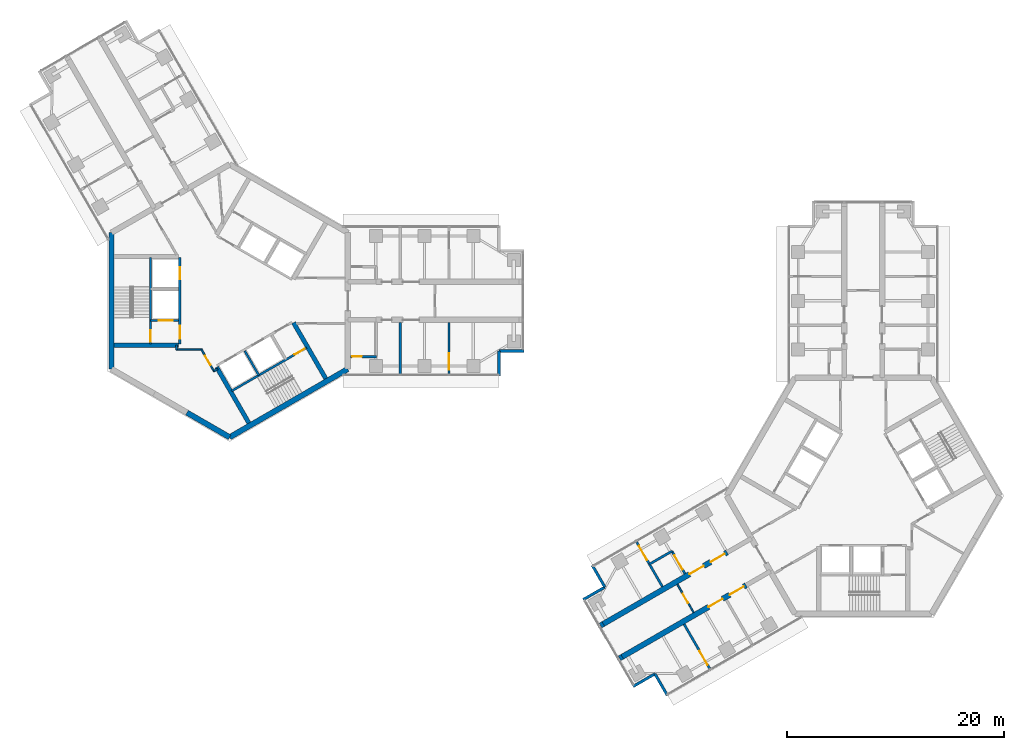
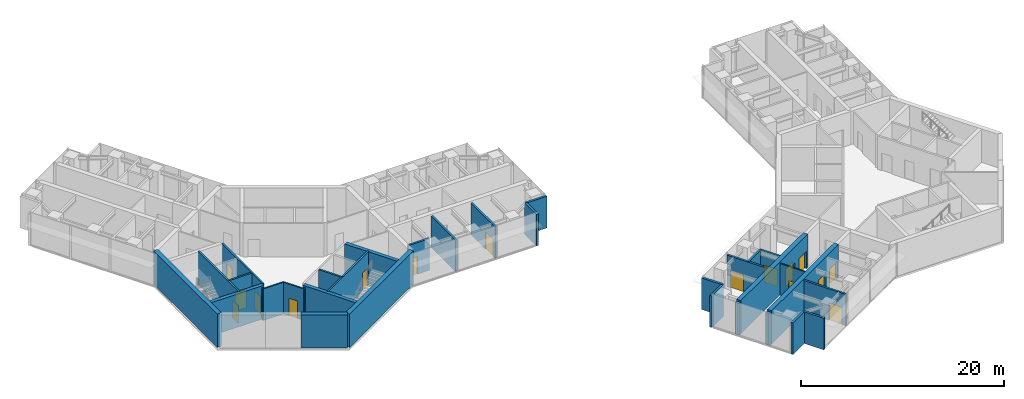
# One storey, part 11 of 17: 33 walls, 16 doors, 16 openings.
"""IFC4 building model written with IfcOpenShell, lengths in metres."""

from ifc_helpers import new_model, si_unit, direction, frame, frame_2d, origin, place, context, subcontext, project, spatial, rectangle, extrude, material, layer, layer_set, type_object, element, fill, save


model = new_model("IFC4")

# Units and contexts
model_context = context("Model", 3, precision=1e-05, world=origin(), true_north=direction((0.0, 1.0)))
body_context = subcontext(model_context, "Body", "Model", "MODEL_VIEW")
ifc_project = project(units=[si_unit("LENGTHUNIT", "METRE"), si_unit("AREAUNIT", "SQUARE_METRE"), si_unit("VOLUMEUNIT", "CUBIC_METRE"), si_unit("PLANEANGLEUNIT", "RADIAN"), si_unit("MASSUNIT", "GRAM", prefix="KILO")], contexts=[model_context])

# Site, building, storey
site_placement = place(None, origin())
site = spatial("IfcSite", under=ifc_project, at=site_placement, CompositionType="ELEMENT")
building_placement = place(site_placement, origin())
building = spatial("IfcBuilding", under=site, at=building_placement, Name="Upepo Twin Towers", CompositionType="ELEMENT")
storey_placement = place(building_placement, frame((0.0, 0.0, 186.5)))
storey = spatial("IfcBuildingStorey", under=building, at=storey_placement, Name="L45", CompositionType="ELEMENT", Elevation=186.5)

# Wall
ifc_material_1 = material(Name="Concrete blockwork, plastered both faces", Category="masonry")
ifc_layer_1 = layer(ifc_material_1, 0.215087890625)
ifc_layer_set_1 = layer_set([ifc_layer_1], Name="Blockwork partition 215")
wall_type_1 = type_object("IfcWallType", Name="Blockwork partition 215", PredefinedType="PARTITIONING", material=ifc_layer_set_1)
wall_1_placement = place(storey_placement, frame((15.75, -2.0, 0.0), z_axis=(0.0, 0.0, 1.0), x_axis=(0.0, -1.0, 0.0)))
element("IfcWall", 1, at=wall_1_placement, inside=storey, type_object=wall_type_1, Name="T1 partition AR at 15.75", PredefinedType="PARTITIONING", context=body_context, shape_type="SweptSolid", body=[
    extrude(rectangle(XDim=4.75, YDim=0.215087890625, at=frame_2d((2.375, 0.0))), origin(), (0.0, 0.0, 1.0), 3.800048828125),
])

# Wall, opening, door
wall_2_placement = place(storey_placement, frame((20.25, -2.0, 0.0), z_axis=(0.0, 0.0, 1.0), x_axis=(0.0, -1.0, 0.0)))
wall_2 = element("IfcWall", 2, at=wall_2_placement, inside=storey, type_object=wall_type_1, Name="T1 partition AR at 20.25", PredefinedType="PARTITIONING", context=body_context, shape_type="SweptSolid", body=[
    extrude(rectangle(XDim=4.75, YDim=0.215087890625, at=frame_2d((2.375, 0.0))), origin(), (0.0, 0.0, 1.0), 3.800048828125),
])
opening_1_placement = place(wall_2_placement, frame((2.85009765625, 0.0, 0.0)))
opening_1 = element("IfcOpeningElement", 3, at=opening_1_placement, cuts=wall_2, Name="Opening D13", PredefinedType="OPENING", context=body_context, shape_type="SweptSolid", body=[
    extrude(rectangle(XDim=1.5, YDim=2.10009765625, at=frame_2d((0.75, 1.050048828125))), frame((0.0, 0.117431640625, 0.0), z_axis=(0.0, -1.0, 0.0), x_axis=(1.0, 0.0, 0.0)), (0.0, 0.0, 1.0), 0.235107421875),
])
ifc_material_2 = material(Name="Timber doorset", Category="wood")
door_type_1 = type_object("IfcDoorType", Name="Double door 1500 FD30", OperationType="DOUBLE_DOOR_SINGLE_SWING", PredefinedType="DOOR", material=ifc_material_2)
door_1_placement = place(opening_1_placement, origin())
door_1 = element("IfcDoor", 4, at=door_1_placement, inside=storey, type_object=door_type_1, Name="T1 L45 connecting door", OperationType="DOUBLE_DOOR_SINGLE_SWING", OverallHeight=2.10009765625, OverallWidth=1.5, PredefinedType="DOOR", context=body_context, shape_type="SweptSolid", body=[
    extrude(rectangle(XDim=1.5, YDim=2.10009765625, at=frame_2d((0.75, 1.050048828125))), frame((0.0, 0.02490234375, 0.0), z_axis=(0.0, -1.0, 0.0), x_axis=(1.0, 0.0, 0.0)), (0.0, 0.0, 1.0), 0.050048828125),
])
fill(opening_1, door_1)

wall_3_placement = place(storey_placement, frame((11.157958984375, -5.14990234375, 0.0), z_axis=(0.0, 0.0, 1.0), x_axis=(1.0, 0.0, 0.0)))
wall_3 = element("IfcWall", 5, at=wall_3_placement, inside=storey, type_object=wall_type_1, Name="T1 WC bay partition AR at 11.16", PredefinedType="PARTITIONING", context=body_context, shape_type="SweptSolid", body=[
    extrude(rectangle(XDim=2.400146484375, YDim=0.215087890625, at=frame_2d((1.2001953125, 0.0))), origin(), (0.0, 0.0, 1.0), 3.800048828125),
])
opening_2_placement = place(wall_3_placement, frame((0.14990234375, 0.0, 0.0)))
opening_2 = element("IfcOpeningElement", 6, at=opening_2_placement, cuts=wall_3, Name="Opening D14", PredefinedType="OPENING", context=body_context, shape_type="SweptSolid", body=[
    extrude(rectangle(XDim=0.89990234375, YDim=2.10009765625, at=frame_2d((0.449951171875, 1.050048828125))), frame((0.0, 0.117431640625, 0.0), z_axis=(0.0, -1.0, 0.0), x_axis=(1.0, 0.0, 0.0)), (0.0, 0.0, 1.0), 0.235107421875),
])
ifc_material_3 = material(Name="Timber doorset", Category="wood")
door_type_2 = type_object("IfcDoorType", Name="Office door 900 FD30", OperationType="SINGLE_SWING_LEFT", PredefinedType="DOOR", material=ifc_material_3)
door_2_placement = place(opening_2_placement, origin())
door_2 = element("IfcDoor", 7, at=door_2_placement, inside=storey, type_object=door_type_2, Name="T1 L45 WC bay inner room door", OperationType="SINGLE_SWING_LEFT", OverallHeight=2.10009765625, OverallWidth=0.89990234375, PredefinedType="DOOR", context=body_context, shape_type="SweptSolid", body=[
    extrude(rectangle(XDim=0.89990234375, YDim=2.10009765625, at=frame_2d((0.449951171875, 1.050048828125))), frame((0.0, 0.02490234375, 0.0), z_axis=(0.0, -1.0, 0.0), x_axis=(1.0, 0.0, 0.0)), (0.0, 0.0, 1.0), 0.050048828125),
])
fill(opening_2, door_2)

wall_4_placement = place(storey_placement, frame((41.962890625, -29.85693359375, 0.0), z_axis=(0.0, 0.0, 1.0), x_axis=(0.499986429846, -0.866033238375, 0.0)))
wall_4 = element("IfcWall", 8, at=wall_4_placement, inside=storey, type_object=wall_type_1, Name="T2 partition BL at 20.25", PredefinedType="PARTITIONING", context=body_context, shape_type="SweptSolid", body=[
    extrude(rectangle(XDim=4.750244140625, YDim=0.215087890625, at=frame_2d((2.375, 0.0))), origin(), (0.0, 0.0, 1.0), 3.800048828125),
])
opening_3_placement = place(wall_4_placement, frame((2.85009765625, 0.0, 0.0)))
opening_3 = element("IfcOpeningElement", 9, at=opening_3_placement, cuts=wall_4, Name="Opening D13", PredefinedType="OPENING", context=body_context, shape_type="SweptSolid", body=[
    extrude(rectangle(XDim=1.5, YDim=2.10009765625, at=frame_2d((0.75, 1.050048828125))), frame((0.0, 0.117431640625, 0.0), z_axis=(0.0, -1.0, 0.0), x_axis=(1.0, 0.0, 0.0)), (0.0, 0.0, 1.0), 0.235107421875),
])
door_3_placement = place(opening_3_placement, origin())
door_3 = element("IfcDoor", 10, at=door_3_placement, inside=storey, type_object=door_type_1, Name="T2 L45 connecting door", OperationType="DOUBLE_DOOR_SINGLE_SWING", OverallHeight=2.10009765625, OverallWidth=1.5, PredefinedType="DOOR", context=body_context, shape_type="SweptSolid", body=[
    extrude(rectangle(XDim=1.5, YDim=2.10009765625, at=frame_2d((0.75, 1.050048828125))), frame((0.0, 0.02490234375, 0.0), z_axis=(0.0, -1.0, 0.0), x_axis=(1.0, 0.0, 0.0)), (0.0, 0.0, 1.0), 0.050048828125),
])
fill(opening_3, door_3)

wall_5_placement = place(storey_placement, frame((39.962890625, -26.39306640625, 0.0), z_axis=(0.0, 0.0, 1.0), x_axis=(-0.499986429846, 0.866033238375, 0.0)))
wall_5 = element("IfcWall", 11, at=wall_5_placement, inside=storey, type_object=wall_type_1, Name="T2 partition BR at 20.25", PredefinedType="PARTITIONING", context=body_context, shape_type="SweptSolid", body=[
    extrude(rectangle(XDim=4.750244140625, YDim=0.215087890625, at=frame_2d((2.375, 0.0))), origin(), (0.0, 0.0, 1.0), 3.800048828125),
])
opening_4_placement = place(wall_5_placement, frame((2.85009765625, 0.0, 0.0)))
opening_4 = element("IfcOpeningElement", 12, at=opening_4_placement, cuts=wall_5, Name="Opening D13", PredefinedType="OPENING", context=body_context, shape_type="SweptSolid", body=[
    extrude(rectangle(XDim=1.5, YDim=2.10009765625, at=frame_2d((0.75, 1.050048828125))), frame((0.0, 0.117431640625, 0.0), z_axis=(0.0, -1.0, 0.0), x_axis=(1.0, 0.0, 0.0)), (0.0, 0.0, 1.0), 0.235107421875),
])
door_4_placement = place(opening_4_placement, origin())
door_4 = element("IfcDoor", 13, at=door_4_placement, inside=storey, type_object=door_type_1, Name="T2 L45 connecting door", OperationType="DOUBLE_DOOR_SINGLE_SWING", OverallHeight=2.10009765625, OverallWidth=1.5, PredefinedType="DOOR", context=body_context, shape_type="SweptSolid", body=[
    extrude(rectangle(XDim=1.5, YDim=2.10009765625, at=frame_2d((0.75, 1.050048828125))), frame((0.0, 0.02490234375, 0.0), z_axis=(0.0, -1.0, 0.0), x_axis=(1.0, 0.0, 0.0)), (0.0, 0.0, 1.0), 0.050048828125),
])
fill(opening_4, door_4)

# Wall
wall_6_placement = place(storey_placement, frame((40.841552734375, -23.114501953125, 0.0), z_axis=(0.0, 0.0, 1.0), x_axis=(-0.866050077142, -0.499957262057, 0.0)))
element("IfcWall", 14, at=wall_6_placement, inside=storey, type_object=wall_type_1, Name="T2 inner room partition BR at 17.85", PredefinedType="PARTITIONING", context=body_context, shape_type="SweptSolid", body=[
    extrude(rectangle(XDim=2.400146484375, YDim=0.215087890625, at=frame_2d((1.2001953125, 0.0))), origin(), (0.0, 0.0, 1.0), 3.800048828125),
])

# Wall, opening, door
wall_7_placement = place(storey_placement, frame((42.04150390625, -25.19287109375, 0.0), z_axis=(0.0, 0.0, 1.0), x_axis=(-0.500001309137, 0.866024647952, 0.0)))
wall_7 = element("IfcWall", 15, at=wall_7_placement, inside=storey, type_object=wall_type_1, Name="T2 inner room partition BR end at 17.85", PredefinedType="PARTITIONING", context=body_context, shape_type="SweptSolid", body=[
    extrude(rectangle(XDim=2.39990234375, YDim=0.215087890625, at=frame_2d((1.199951171875, 0.0))), origin(), (0.0, 0.0, 1.0), 3.800048828125),
])
opening_5_placement = place(wall_7_placement, frame((0.449951171875, 0.0, 0.0)))
opening_5 = element("IfcOpeningElement", 16, at=opening_5_placement, cuts=wall_7, Name="Opening D13", PredefinedType="OPENING", context=body_context, shape_type="SweptSolid", body=[
    extrude(rectangle(XDim=1.5, YDim=2.10009765625, at=frame_2d((0.75, 1.050048828125))), frame((0.0, 0.117431640625, 0.0), z_axis=(0.0, -1.0, 0.0), x_axis=(1.0, 0.0, 0.0)), (0.0, 0.0, 1.0), 0.235107421875),
])
door_5_placement = place(opening_5_placement, origin())
door_5 = element("IfcDoor", 17, at=door_5_placement, inside=storey, type_object=door_type_1, Name="T2 L45 inner room door", OperationType="DOUBLE_DOOR_SINGLE_SWING", OverallHeight=2.10009765625, OverallWidth=1.5, PredefinedType="DOOR", context=body_context, shape_type="SweptSolid", body=[
    extrude(rectangle(XDim=1.5, YDim=2.10009765625, at=frame_2d((0.75, 1.050048828125))), frame((0.0, 0.02490234375, 0.0), z_axis=(0.0, -1.0, 0.0), x_axis=(1.0, 0.0, 0.0)), (0.0, 0.0, 1.0), 0.050048828125),
])
fill(opening_5, door_5)

# Walls
ifc_material_4 = material(Name="Dense concrete blockwork", Category="masonry")
ifc_layer_2 = layer(ifc_material_4, 0.5)
ifc_layer_set_2 = layer_set([ifc_layer_2], Name="Buttress closer 500, blockwork with fire-stopping to the curtain wall")
wall_type_2 = type_object("IfcWallType", Name="Buttress closer 500, blockwork with fire-stopping to the curtain wall", PredefinedType="PARTITIONING", material=ifc_layer_set_2)
for number, where, z_axis, x_axis, name in (
    (18, (36.252197265625, -32.865478515625, 0.0), (0.0, 0.0, 1.0), (-0.86598763626, -0.500065409566, 0.0), "T2 L45 wing B buttress closer L"),
    (19, (34.502197265625, -29.83447265625, 0.0), (0.0, 0.0, 1.0), (-0.86598763626, -0.500065409566, 0.0), "T2 L45 wing B buttress closer R"),
):
    element("IfcWall", number, at=place(storey_placement, frame(where, z_axis=z_axis, x_axis=x_axis)), inside=storey, type_object=wall_type_2, Name=name, PredefinedType="PARTITIONING", context=body_context, shape_type="SweptSolid", body=[
        extrude(rectangle(XDim=0.28759765625, YDim=0.5, at=frame_2d((0.143798828125, 0.0))), origin(), (0.0, 0.0, 1.0), 3.800048828125),
    ])

# Wall, openings, doors
ifc_material_5 = material(Name="Concrete C60/75", Category="concrete")
ifc_layer_3 = layer(ifc_material_5, 0.5)
ifc_layer_set_3 = layer_set([ifc_layer_3], Name="Concrete C60/75")
wall_type_3 = type_object("IfcWallType", Name="Buttress wall 500 RC", PredefinedType="SHEAR", material=ifc_layer_set_3)
wall_8_placement = place(storey_placement, frame((47.68359375, -26.265625, 0.0), z_axis=(0.0, 0.0, 1.0), x_axis=(-0.866027579429, -0.499996231654, 0.0)))
wall_8 = element("IfcWall", 20, at=wall_8_placement, inside=storey, type_object=wall_type_3, Name="T2 wing B buttress wall L part 2", PredefinedType="SHEAR", context=body_context, shape_type="SweptSolid", body=[
    extrude(rectangle(XDim=13.19970703125, YDim=0.5, at=frame_2d((6.599853515625, 0.0))), origin(), (0.0, 0.0, 1.0), 4.0),
])
opening_6_placement = place(wall_8_placement, frame((0.25, 0.0, 0.0)))
opening_6 = element("IfcOpeningElement", 21, at=opening_6_placement, cuts=wall_8, Name="Opening D13", PredefinedType="OPENING", context=body_context, shape_type="SweptSolid", body=[
    extrude(rectangle(XDim=1.5, YDim=2.10009765625, at=frame_2d((0.75, 1.050048828125))), frame((0.0, 0.260009765625, 0.0), z_axis=(0.0, -1.0, 0.0), x_axis=(1.0, 0.0, 0.0)), (0.0, 0.0, 1.0), 0.52001953125),
])
opening_7_placement = place(wall_8_placement, frame((2.5, 0.0, 0.0)))
opening_7 = element("IfcOpeningElement", 22, at=opening_7_placement, cuts=wall_8, Name="Opening D13", PredefinedType="OPENING", context=body_context, shape_type="SweptSolid", body=[
    extrude(rectangle(XDim=1.5, YDim=2.10009765625, at=frame_2d((0.75, 1.050048828125))), frame((0.0, 0.260009765625, 0.0), z_axis=(0.0, -1.0, 0.0), x_axis=(1.0, 0.0, 0.0)), (0.0, 0.0, 1.0), 0.52001953125),
])
door_6_placement = place(opening_6_placement, origin())
door_6 = element("IfcDoor", 23, at=door_6_placement, inside=storey, type_object=door_type_1, Name="T2 L45 tutorial room door", OperationType="DOUBLE_DOOR_SINGLE_SWING", OverallHeight=2.10009765625, OverallWidth=1.5, PredefinedType="DOOR", context=body_context, shape_type="SweptSolid", body=[
    extrude(rectangle(XDim=1.5, YDim=2.10009765625, at=frame_2d((0.75, 1.050048828125))), frame((0.0, 0.02490234375, 0.0), z_axis=(0.0, -1.0, 0.0), x_axis=(1.0, 0.0, 0.0)), (0.0, 0.0, 1.0), 0.050048828125),
])
fill(opening_6, door_6)
door_7_placement = place(opening_7_placement, origin())
door_7 = element("IfcDoor", 24, at=door_7_placement, inside=storey, type_object=door_type_1, Name="T2 L45 seminar room door", OperationType="DOUBLE_DOOR_SINGLE_SWING", OverallHeight=2.10009765625, OverallWidth=1.5, PredefinedType="DOOR", context=body_context, shape_type="SweptSolid", body=[
    extrude(rectangle(XDim=1.5, YDim=2.10009765625, at=frame_2d((0.75, 1.050048828125))), frame((0.0, 0.02490234375, 0.0), z_axis=(0.0, -1.0, 0.0), x_axis=(1.0, 0.0, 0.0)), (0.0, 0.0, 1.0), 0.050048828125),
])
fill(opening_7, door_7)

wall_9_placement = place(storey_placement, frame((45.93359375, -23.234375, 0.0), z_axis=(0.0, 0.0, 1.0), x_axis=(-0.866019570528, -0.500010103361, 0.0)))
wall_9 = element("IfcWall", 25, at=wall_9_placement, inside=storey, type_object=wall_type_3, Name="T2 wing B buttress wall R part 2", PredefinedType="SHEAR", context=body_context, shape_type="SweptSolid", body=[
    extrude(rectangle(XDim=13.199951171875, YDim=0.5, at=frame_2d((6.60009765625, 0.0))), origin(), (0.0, 0.0, 1.0), 4.0),
])
opening_8_placement = place(wall_9_placement, frame((0.25, 0.0, 0.0)))
opening_8 = element("IfcOpeningElement", 26, at=opening_8_placement, cuts=wall_9, Name="Opening D13", PredefinedType="OPENING", context=body_context, shape_type="SweptSolid", body=[
    extrude(rectangle(XDim=1.5, YDim=2.10009765625, at=frame_2d((0.75, 1.050048828125))), frame((0.0, 0.260009765625, 0.0), z_axis=(0.0, -1.0, 0.0), x_axis=(1.0, 0.0, 0.0)), (0.0, 0.0, 1.0), 0.52001953125),
])
opening_9_placement = place(wall_9_placement, frame((2.5, 0.0, 0.0)))
opening_9 = element("IfcOpeningElement", 27, at=opening_9_placement, cuts=wall_9, Name="Opening D13", PredefinedType="OPENING", context=body_context, shape_type="SweptSolid", body=[
    extrude(rectangle(XDim=1.5, YDim=2.10009765625, at=frame_2d((0.75, 1.050048828125))), frame((0.0, 0.260009765625, 0.0), z_axis=(0.0, -1.0, 0.0), x_axis=(1.0, 0.0, 0.0)), (0.0, 0.0, 1.0), 0.52001953125),
])
door_8_placement = place(opening_8_placement, origin())
door_8 = element("IfcDoor", 28, at=door_8_placement, inside=storey, type_object=door_type_1, Name="T2 L45 lecture room door", OperationType="DOUBLE_DOOR_SINGLE_SWING", OverallHeight=2.10009765625, OverallWidth=1.5, PredefinedType="DOOR", context=body_context, shape_type="SweptSolid", body=[
    extrude(rectangle(XDim=1.5, YDim=2.10009765625, at=frame_2d((0.75, 1.050048828125))), frame((0.0, 0.02490234375, 0.0), z_axis=(0.0, -1.0, 0.0), x_axis=(1.0, 0.0, 0.0)), (0.0, 0.0, 1.0), 0.050048828125),
])
fill(opening_8, door_8)
door_9_placement = place(opening_9_placement, origin())
door_9 = element("IfcDoor", 29, at=door_9_placement, inside=storey, type_object=door_type_1, Name="T2 L45 lecture room door", OperationType="DOUBLE_DOOR_SINGLE_SWING", OverallHeight=2.10009765625, OverallWidth=1.5, PredefinedType="DOOR", context=body_context, shape_type="SweptSolid", body=[
    extrude(rectangle(XDim=1.5, YDim=2.10009765625, at=frame_2d((0.75, 1.050048828125))), frame((0.0, 0.02490234375, 0.0), z_axis=(0.0, -1.0, 0.0), x_axis=(1.0, 0.0, 0.0)), (0.0, 0.0, 1.0), 0.050048828125),
])
fill(opening_9, door_9)

# Walls
ifc_material_6 = material(Name="Concrete C60/75", Category="concrete")
ifc_layer_4 = layer(ifc_material_6, 0.5)
ifc_layer_set_4 = layer_set([ifc_layer_4], Name="Concrete C60/75")
wall_type_4 = type_object("IfcWallType", Name="Core wall 500 RC", PredefinedType="SHEAR", material=ifc_layer_set_4)
wall_10_placement = place(storey_placement, frame((-10.908447265625, 6.2978515625, 0.0), z_axis=(0.0, 0.0, 1.0), x_axis=(0.0, -1.0, 0.0)))
element("IfcWall", 30, at=wall_10_placement, inside=storey, type_object=wall_type_4, Name="T1 core wall 180", PredefinedType="SHEAR", context=body_context, shape_type="SweptSolid", body=[
    extrude(rectangle(XDim=12.595703125, YDim=0.5, at=frame_2d((6.2978515625, 0.0))), origin(), (0.0, 0.0, 1.0), 4.0),
])
wall_11_placement = place(storey_placement, frame((-3.938720703125, -10.32177734375, 0.0), z_axis=(0.0, 0.0, 1.0), x_axis=(0.866011268655, -0.500024481964, 0.0)))
element("IfcWall", 31, at=wall_11_placement, inside=storey, type_object=wall_type_4, Name="T1 core wall 240 L", PredefinedType="SHEAR", context=body_context, shape_type="SweptSolid", body=[
    extrude(rectangle(XDim=4.548095703125, YDim=0.5, at=frame_2d((2.27392578125, 0.0))), origin(), (0.0, 0.0, 1.0), 4.0),
])
wall_12_placement = place(storey_placement, frame((0.0, -12.595947265625, 0.0), z_axis=(0.0, 0.0, 1.0), x_axis=(0.866021940709, 0.500005998175, 0.0)))
element("IfcWall", 32, at=wall_12_placement, inside=storey, type_object=wall_type_4, Name="T1 core wall 300", PredefinedType="SHEAR", context=body_context, shape_type="SweptSolid", body=[
    extrude(rectangle(XDim=12.595947265625, YDim=0.5, at=frame_2d((6.2978515625, 0.0))), origin(), (0.0, 0.0, 1.0), 4.0),
])
ifc_material_7 = material(Name="Blockwork with anodised aluminium cladding", Category="masonry")
ifc_layer_5 = layer(ifc_material_7, 0.25)
ifc_layer_set_5 = layer_set([ifc_layer_5], Name="Notch cladding wall 250, pale metal")
wall_type_5 = type_object("IfcWallType", Name="Notch cladding wall 250, pale metal", PredefinedType="STANDARD", material=ifc_layer_set_5)
for number, where, z_axis, x_axis, name in (
    (33, (24.875, -6.949951171875, 0.0), (0.0, 0.0, 1.0), (0.0, 1.0, 0.0), "T1 L45 wing A notch wall R1"),
    (34, (24.875, -4.625, 0.0), (0.0, 0.0, 1.0), (1.0, 0.0, 0.0), "T1 L45 wing A notch wall R2"),
    (35, (40.4326171875, -36.456298828125, 0.0), (0.0, 0.0, 1.0), (-0.500046648681, 0.865998469481, 0.0), "T2 L45 wing B notch wall L1"),
    (36, (39.27001953125, -34.44287109375, 0.0), (0.0, 0.0, 1.0), (-0.865998469481, -0.500046648681, 0.0), "T2 L45 wing B notch wall L2"),
    (37, (33.482666015625, -24.418701171875, 0.0), (0.0, 0.0, 1.0), (0.499967891604, -0.866043940782, 0.0), "T2 L45 wing B notch wall R1"),
    (38, (34.64501953125, -26.43212890625, 0.0), (0.0, 0.0, 1.0), (-0.865998469481, -0.500046648681, 0.0), "T2 L45 wing B notch wall R2"),
):
    element("IfcWall", number, at=place(storey_placement, frame(where, z_axis=z_axis, x_axis=x_axis)), inside=storey, type_object=wall_type_5, Name=name, PredefinedType="STANDARD", context=body_context, shape_type="SweptSolid", body=[
        extrude(rectangle(XDim=2.324951171875, YDim=0.25, at=frame_2d((1.16259765625, 0.0))), origin(), (0.0, 0.0, 1.0), 3.800048828125),
    ])

# Wall, openings, doors
ifc_material_8 = material(Name="Concrete C40/50", Category="concrete")
ifc_layer_6 = layer(ifc_material_8, 0.199951171875)
ifc_layer_set_6 = layer_set([ifc_layer_6], Name="Concrete C40/50")
wall_type_6 = type_object("IfcWallType", Name="Shaft wall 200 RC", PredefinedType="SHEAR", material=ifc_layer_set_6)
wall_13_placement = place(storey_placement, frame((-4.60009765625, 4.0, 0.0), z_axis=(0.0, 0.0, 1.0), x_axis=(0.0, -1.0, 0.0)))
wall_13 = element("IfcWall", 39, at=wall_13_placement, inside=storey, type_object=wall_type_6, Name="T1 core W180 front wall", PredefinedType="SHEAR", context=body_context, shape_type="SweptSolid", body=[
    extrude(rectangle(XDim=8.0, YDim=0.199951171875, at=frame_2d((4.0, 0.0))), origin(), (0.0, 0.0, 1.0), 4.0),
])
opening_10_placement = place(wall_13_placement, frame((6.300048828125, 0.0, 0.0)))
opening_10 = element("IfcOpeningElement", 40, at=opening_10_placement, cuts=wall_13, Name="Opening D4", PredefinedType="OPENING", context=body_context, shape_type="SweptSolid", body=[
    extrude(rectangle(XDim=1.199951171875, YDim=2.10009765625, at=frame_2d((0.60009765625, 1.050048828125))), frame((0.0, 0.10986328125, 0.0), z_axis=(0.0, -1.0, 0.0), x_axis=(1.0, 0.0, 0.0)), (0.0, 0.0, 1.0), 0.219970703125),
])
opening_11_placement = place(wall_13_placement, frame((0.89990234375, 0.0, 0.0)))
opening_11 = element("IfcOpeningElement", 41, at=opening_11_placement, cuts=wall_13, Name="Opening LD1", PredefinedType="OPENING", context=body_context, shape_type="SweptSolid", body=[
    extrude(rectangle(XDim=1.10009765625, YDim=2.199951171875, at=frame_2d((0.550048828125, 1.10009765625))), frame((0.0, 0.10986328125, 0.0), z_axis=(0.0, -1.0, 0.0), x_axis=(1.0, 0.0, 0.0)), (0.0, 0.0, 1.0), 0.219970703125),
])
ifc_material_9 = material(Name="Steel doorset", Category="steel")
door_type_3 = type_object("IfcDoorType", Name="Lift landing door 1100", OperationType="DOUBLE_DOOR_SLIDING", PredefinedType="DOOR", material=ifc_material_9)
door_10_placement = place(opening_11_placement, origin())
door_10 = element("IfcDoor", 42, at=door_10_placement, inside=storey, type_object=door_type_3, Name="T1 L45 lift SV1 landing door", OperationType="DOUBLE_DOOR_SLIDING", OverallHeight=2.199951171875, OverallWidth=1.10009765625, PredefinedType="DOOR", context=body_context, shape_type="SweptSolid", body=[
    extrude(rectangle(XDim=1.10009765625, YDim=2.199951171875, at=frame_2d((0.550048828125, 1.10009765625))), frame((0.0, 0.02490234375, 0.0), z_axis=(0.0, -1.0, 0.0), x_axis=(1.0, 0.0, 0.0)), (0.0, 0.0, 1.0), 0.050048828125),
])
fill(opening_11, door_10)
ifc_material_10 = material(Name="Timber doorset", Category="wood")
door_type_4 = type_object("IfcDoorType", Name="Lobby door 1200 FD60", OperationType="SINGLE_SWING_LEFT", PredefinedType="DOOR", material=ifc_material_10)
door_11_placement = place(opening_10_placement, origin())
door_11 = element("IfcDoor", 43, at=door_11_placement, inside=storey, type_object=door_type_4, Name="T1 L45 W180 lobby door", OperationType="SINGLE_SWING_RIGHT", OverallHeight=2.10009765625, OverallWidth=1.199951171875, PredefinedType="DOOR", context=body_context, shape_type="SweptSolid", body=[
    extrude(rectangle(XDim=1.199951171875, YDim=2.10009765625, at=frame_2d((0.60009765625, 1.050048828125))), frame((0.0, 0.02490234375, 0.0), z_axis=(0.0, -1.0, 0.0), x_axis=(1.0, 0.0, 0.0)), (0.0, 0.0, 1.0), 0.050048828125),
])
fill(opening_10, door_11)

# Wall, opening, door
wall_14_placement = place(storey_placement, frame((-4.699951171875, -1.800048828125, 0.0), z_axis=(0.0, 0.0, 1.0), x_axis=(-1.0, 0.0, 0.0)))
wall_14 = element("IfcWall", 44, at=wall_14_placement, inside=storey, type_object=wall_type_6, Name="T1 core W180 lobby wall", PredefinedType="SHEAR", context=body_context, shape_type="SweptSolid", body=[
    extrude(rectangle(XDim=2.60009765625, YDim=0.199951171875, at=frame_2d((1.300048828125, 0.0))), origin(), (0.0, 0.0, 1.0), 4.0),
])
opening_12_placement = place(wall_14_placement, frame((0.550048828125, 0.0, 0.0)))
opening_12 = element("IfcOpeningElement", 45, at=opening_12_placement, cuts=wall_14, Name="Opening LD2", PredefinedType="OPENING", context=body_context, shape_type="SweptSolid", body=[
    extrude(rectangle(XDim=1.300048828125, YDim=2.199951171875, at=frame_2d((0.64990234375, 1.10009765625))), frame((0.0, 0.10986328125, 0.0), z_axis=(0.0, -1.0, 0.0), x_axis=(1.0, 0.0, 0.0)), (0.0, 0.0, 1.0), 0.219970703125),
])
ifc_material_11 = material(Name="Steel doorset", Category="steel")
door_type_5 = type_object("IfcDoorType", Name="Firefighting lift landing door 1300", OperationType="DOUBLE_DOOR_SLIDING", PredefinedType="DOOR", material=ifc_material_11)
door_12_placement = place(opening_12_placement, origin())
door_12 = element("IfcDoor", 46, at=door_12_placement, inside=storey, type_object=door_type_5, Name="T1 L45 firefighting lift landing door", OperationType="DOUBLE_DOOR_SLIDING", OverallHeight=2.199951171875, OverallWidth=1.300048828125, PredefinedType="DOOR", context=body_context, shape_type="SweptSolid", body=[
    extrude(rectangle(XDim=1.300048828125, YDim=2.199951171875, at=frame_2d((0.64990234375, 1.10009765625))), frame((0.0, 0.02490234375, 0.0), z_axis=(0.0, -1.0, 0.0), x_axis=(1.0, 0.0, 0.0)), (0.0, 0.0, 1.0), 0.050048828125),
])
fill(opening_12, door_12)

wall_15_placement = place(storey_placement, frame((-7.300048828125, 4.0, 0.0), z_axis=(0.0, 0.0, 1.0), x_axis=(0.0, -1.0, 0.0)))
wall_15 = element("IfcWall", 47, at=wall_15_placement, inside=storey, type_object=wall_type_6, Name="T1 core W180 stair wall", PredefinedType="SHEAR", context=body_context, shape_type="SweptSolid", body=[
    extrude(rectangle(XDim=8.0, YDim=0.199951171875, at=frame_2d((4.0, 0.0))), origin(), (0.0, 0.0, 1.0), 4.0),
])
opening_13_placement = place(wall_15_placement, frame((6.699951171875, 0.0, 0.0)))
opening_13 = element("IfcOpeningElement", 48, at=opening_13_placement, cuts=wall_15, Name="Opening D3", PredefinedType="OPENING", context=body_context, shape_type="SweptSolid", body=[
    extrude(rectangle(XDim=1.10009765625, YDim=2.10009765625, at=frame_2d((0.550048828125, 1.050048828125))), frame((0.0, 0.10986328125, 0.0), z_axis=(0.0, -1.0, 0.0), x_axis=(1.0, 0.0, 0.0)), (0.0, 0.0, 1.0), 0.219970703125),
])
ifc_material_12 = material(Name="Timber doorset", Category="wood")
door_type_6 = type_object("IfcDoorType", Name="Stair door 1100 FD60", OperationType="SINGLE_SWING_LEFT", PredefinedType="DOOR", material=ifc_material_12)
door_13_placement = place(opening_13_placement, origin())
door_13 = element("IfcDoor", 49, at=door_13_placement, inside=storey, type_object=door_type_6, Name="T1 L45 stair door", OperationType="SINGLE_SWING_RIGHT", OverallHeight=2.10009765625, OverallWidth=1.10009765625, PredefinedType="DOOR", context=body_context, shape_type="SweptSolid", body=[
    extrude(rectangle(XDim=1.10009765625, YDim=2.10009765625, at=frame_2d((0.550048828125, 1.050048828125))), frame((0.0, 0.02490234375, 0.0), z_axis=(0.0, -1.0, 0.0), x_axis=(1.0, 0.0, 0.0)), (0.0, 0.0, 1.0), 0.050048828125),
])
fill(opening_13, door_13)

# Wall
wall_16_placement = place(storey_placement, frame((1.3974609375, -4.620361328125, 0.0), z_axis=(0.0, 0.0, 1.0), x_axis=(0.499936506574, -0.866062058628, 0.0)))
element("IfcWall", 50, at=wall_16_placement, inside=storey, type_object=wall_type_6, Name="T1 core W300 shaft divider", PredefinedType="SHEAR", context=body_context, shape_type="SweptSolid", body=[
    extrude(rectangle(XDim=2.599853515625, YDim=0.199951171875, at=frame_2d((1.2998046875, 0.0))), origin(), (0.0, 0.0, 1.0), 4.0),
])

# Wall, opening, door
wall_17_placement = place(storey_placement, frame((0.185791015625, -8.322021484375, 0.0), z_axis=(0.0, 0.0, 1.0), x_axis=(0.866026010844, 0.49999894854, 0.0)))
wall_17 = element("IfcWall", 51, at=wall_17_placement, inside=storey, type_object=wall_type_6, Name="T1 core W300 stair wall", PredefinedType="SHEAR", context=body_context, shape_type="SweptSolid", body=[
    extrude(rectangle(XDim=8.0, YDim=0.199951171875, at=frame_2d((4.0, 0.0))), origin(), (0.0, 0.0, 1.0), 4.0),
])
opening_14_placement = place(wall_17_placement, frame((6.699951171875, 0.0, 0.0)))
opening_14 = element("IfcOpeningElement", 52, at=opening_14_placement, cuts=wall_17, Name="Opening D3", PredefinedType="OPENING", context=body_context, shape_type="SweptSolid", body=[
    extrude(rectangle(XDim=1.10009765625, YDim=2.10009765625, at=frame_2d((0.550048828125, 1.050048828125))), frame((0.0, 0.10986328125, 0.0), z_axis=(0.0, -1.0, 0.0), x_axis=(1.0, 0.0, 0.0)), (0.0, 0.0, 1.0), 0.219970703125),
])
door_14_placement = place(opening_14_placement, origin())
door_14 = element("IfcDoor", 53, at=door_14_placement, inside=storey, type_object=door_type_6, Name="T1 L45 stair door", OperationType="SINGLE_SWING_RIGHT", OverallHeight=2.10009765625, OverallWidth=1.10009765625, PredefinedType="DOOR", context=body_context, shape_type="SweptSolid", body=[
    extrude(rectangle(XDim=1.10009765625, YDim=2.10009765625, at=frame_2d((0.550048828125, 1.050048828125))), frame((0.0, 0.02490234375, 0.0), z_axis=(0.0, -1.0, 0.0), x_axis=(1.0, 0.0, 0.0)), (0.0, 0.0, 1.0), 0.050048828125),
])
fill(opening_14, door_14)

# Walls
ifc_material_13 = material(Name="Concrete C40/50", Category="concrete")
ifc_layer_7 = layer(ifc_material_13, 0.39990234375)
ifc_layer_set_7 = layer_set([ifc_layer_7], Name="Concrete C40/50")
wall_type_7 = type_object("IfcWallType", Name="Shaft wall 400 RC", PredefinedType="SHEAR", material=ifc_layer_set_7)
for number, where, z_axis, x_axis, name in (
    (54, (-4.699951171875, -4.10009765625, 0.0), (0.0, 0.0, 1.0), (-1.0, 0.0, 0.0), "T1 core W180 side wall N"),
    (55, (5.900634765625, -2.020263671875, 0.0), (0.0, 0.0, 1.0), (0.500003832394, -0.86602319114, 0.0), "T1 core W300 side wall N"),
):
    element("IfcWall", number, at=place(storey_placement, frame(where, z_axis=z_axis, x_axis=x_axis)), inside=storey, type_object=wall_type_7, Name=name, PredefinedType="SHEAR", context=body_context, shape_type="SweptSolid", body=[
        extrude(rectangle(XDim=5.95849609375, YDim=0.39990234375, at=frame_2d((2.979248046875, 0.0))), origin(), (0.0, 0.0, 1.0), 4.0),
    ])
wall_18_placement = place(storey_placement, frame((-1.20068359375, -6.120361328125, 0.0), z_axis=(0.0, 0.0, 1.0), x_axis=(0.500021575205, -0.866012946976, 0.0)))
element("IfcWall", 56, at=wall_18_placement, inside=storey, type_object=wall_type_7, Name="T1 core W300 side wall S", PredefinedType="SHEAR", context=body_context, shape_type="SweptSolid", body=[
    extrude(rectangle(XDim=5.958251953125, YDim=0.39990234375, at=frame_2d((2.97900390625, 0.0))), origin(), (0.0, 0.0, 1.0), 4.0),
])

# Wall, opening, door
ifc_material_14 = material(Name="Gypsum board on steel studs", Category="steel")
ifc_layer_8 = layer(ifc_material_14, 0.14990234375)
ifc_layer_set_8 = layer_set([ifc_layer_8], Name="Teaching partition 150 acoustic")
wall_type_8 = type_object("IfcWallType", Name="Teaching partition 150 acoustic", PredefinedType="PARTITIONING", material=ifc_layer_set_8)
wall_19_placement = place(storey_placement, frame((-1.43701171875, -6.5107421875, 0.0), z_axis=(0.0, 0.0, 1.0), x_axis=(-0.500074377092, 0.865982457891, 0.0)))
wall_19 = element("IfcWall", 57, at=wall_19_placement, inside=storey, type_object=wall_type_8, Name="T1 core room partition 1", PredefinedType="PARTITIONING", context=body_context, shape_type="SweptSolid", body=[
    extrude(rectangle(XDim=2.342041015625, YDim=0.14990234375, at=frame_2d((1.1708984375, 0.0))), origin(), (0.0, 0.0, 1.0), 3.800048828125),
])
opening_15_placement = place(wall_19_placement, frame((0.6708984375, 0.0, 0.0)))
opening_15 = element("IfcOpeningElement", 58, at=opening_15_placement, cuts=wall_19, Name="Opening D1", PredefinedType="OPENING", context=body_context, shape_type="SweptSolid", body=[
    extrude(rectangle(XDim=1.0, YDim=2.10009765625, at=frame_2d((0.5, 1.050048828125))), frame((0.0, 0.0849609375, 0.0), z_axis=(0.0, -1.0, 0.0), x_axis=(1.0, 0.0, 0.0)), (0.0, 0.0, 1.0), 0.169921875),
])
ifc_material_15 = material(Name="Timber doorset", Category="wood")
door_type_7 = type_object("IfcDoorType", Name="Room door 1000 FD30", OperationType="SINGLE_SWING_LEFT", PredefinedType="DOOR", material=ifc_material_15)
door_15_placement = place(opening_15_placement, origin())
door_15 = element("IfcDoor", 59, at=door_15_placement, inside=storey, type_object=door_type_7, Name="T1 L45 core room door K1", OperationType="SINGLE_SWING_RIGHT", OverallHeight=2.10009765625, OverallWidth=1.0, PredefinedType="DOOR", context=body_context, shape_type="SweptSolid", body=[
    extrude(rectangle(XDim=1.0, YDim=2.10009765625, at=frame_2d((0.5, 1.050048828125))), frame((0.0, 0.02490234375, 0.0), z_axis=(0.0, -1.0, 0.0), x_axis=(1.0, 0.0, 0.0)), (0.0, 0.0, 1.0), 0.050048828125),
])
fill(opening_15, door_15)

# Walls
wall_20_placement = place(storey_placement, frame((-2.578125, -4.5, 0.0), z_axis=(0.0, 0.0, 1.0), x_axis=(-1.0, 0.0, 0.0)))
element("IfcWall", 60, at=wall_20_placement, inside=storey, type_object=wall_type_8, Name="T1 core room partition 2", PredefinedType="PARTITIONING", context=body_context, shape_type="SweptSolid", body=[
    extrude(rectangle(XDim=2.341796875, YDim=0.14990234375, at=frame_2d((1.1708984375, 0.0))), origin(), (0.0, 0.0, 1.0), 3.800048828125),
])
for number, where, z_axis, x_axis, name in (
    (61, (-4.89990234375, -4.52001953125, 0.0), (0.0, 0.0, 1.0), (0.0, 1.0, 0.0), "T1 core room partition 3"),
    (62, (-1.092041015625, -6.28857421875, 0.0), (0.0, 0.0, 1.0), (-0.866138304741, -0.499804398801, 0.0), "T1 core room partition 8"),
):
    element("IfcWall", number, at=place(storey_placement, frame(where, z_axis=z_axis, x_axis=x_axis)), inside=storey, type_object=wall_type_8, Name=name, PredefinedType="PARTITIONING", context=body_context, shape_type="SweptSolid", body=[
        extrude(rectangle(XDim=0.429931640625, YDim=0.14990234375, at=frame_2d((0.21484375, 0.0))), origin(), (0.0, 0.0, 1.0), 3.800048828125),
    ])

# Wall, opening, door
wall_21_placement = place(storey_placement, frame((41.3388671875, -26.176025390625, 0.0), z_axis=(0.0, 0.0, 1.0), x_axis=(0.50002537861, -0.866010750942, 0.0)))
wall_21 = element("IfcWall", 63, at=wall_21_placement, inside=storey, type_object=wall_type_8, Name="T2 corridor end partition B at 18.95", PredefinedType="PARTITIONING", context=body_context, shape_type="SweptSolid", body=[
    extrude(rectangle(XDim=2.999755859375, YDim=0.14990234375, at=frame_2d((1.5, 0.0))), origin(), (0.0, 0.0, 1.0), 3.800048828125),
])
opening_16_placement = place(wall_21_placement, frame((1.0, 0.0, 0.0)))
opening_16 = element("IfcOpeningElement", 64, at=opening_16_placement, cuts=wall_21, Name="Opening D1", PredefinedType="OPENING", context=body_context, shape_type="SweptSolid", body=[
    extrude(rectangle(XDim=1.0, YDim=2.10009765625, at=frame_2d((0.5, 1.050048828125))), frame((0.0, 0.0849609375, 0.0), z_axis=(0.0, -1.0, 0.0), x_axis=(1.0, 0.0, 0.0)), (0.0, 0.0, 1.0), 0.169921875),
])
door_16_placement = place(opening_16_placement, origin())
door_16 = element("IfcDoor", 65, at=door_16_placement, inside=storey, type_object=door_type_7, Name="T2 L45 breakout study room door", OperationType="SINGLE_SWING_RIGHT", OverallHeight=2.10009765625, OverallWidth=1.0, PredefinedType="DOOR", context=body_context, shape_type="SweptSolid", body=[
    extrude(rectangle(XDim=1.0, YDim=2.10009765625, at=frame_2d((0.5, 1.050048828125))), frame((0.0, 0.02490234375, 0.0), z_axis=(0.0, -1.0, 0.0), x_axis=(1.0, 0.0, 0.0)), (0.0, 0.0, 1.0), 0.050048828125),
])
fill(opening_16, door_16)

save(model, "model.ifc")
